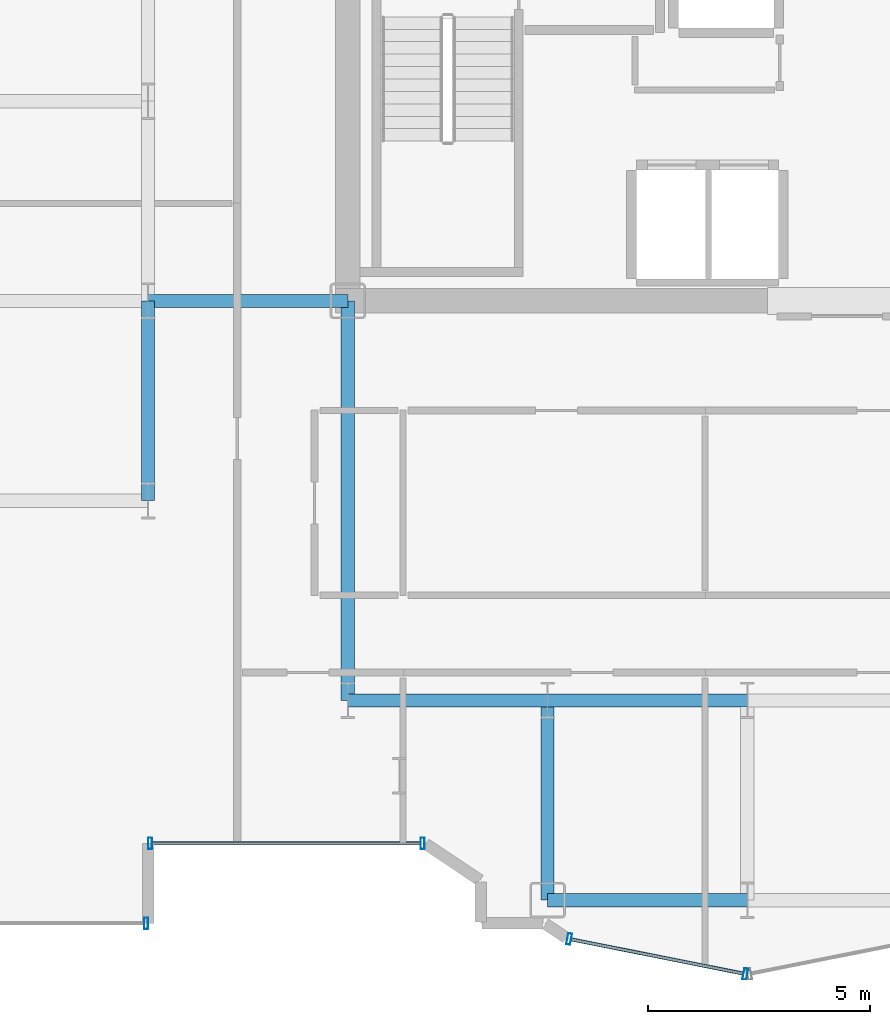
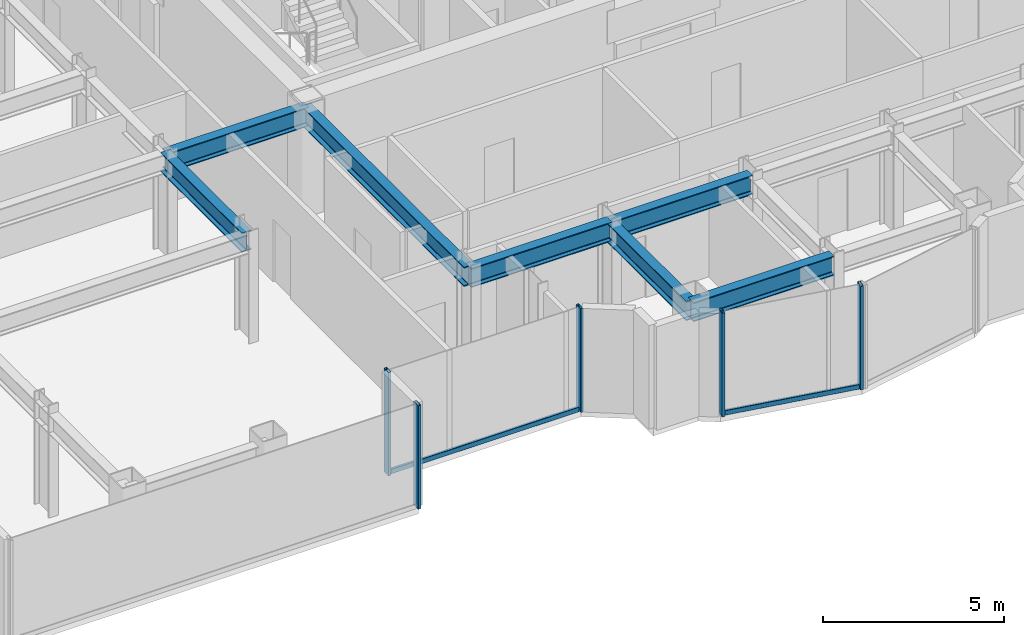
# One storey, part 5 of 23: 7 beams, 7 members, 3 elements without a shape of their own.
"""IFC4 building model written with IfcOpenShell, lengths in metres."""

import ifcopenshell
import ifcopenshell.guid

model = None  # the IFC model being written
_history = None  # IfcOwnerHistory: only IFC2X3 demands one
_inside = {}  # id of a spatial element -> (the spatial element, [elements in it])
_under = {}  # id of a project, library or spatial element -> (it, [spatial elements below it])
_declared = {}  # id of a project -> (the project, [libraries it declares])
_typed = {}  # id of a type object -> (the type object, [elements of that type])
_made_of = {}  # id of a material, layer set ... -> (it, [elements and type objects made of it])


def new_model(schema):
    """Start an empty IFC model of exactly this schema.

    Asked for "IFC4X3", IfcOpenShell would pick the latest addendum, in which some entities
    have other attributes; the version numbers below select the first issue.
    IFC2X3 requires an IfcOwnerHistory on every rooted entity: one is made here for all.
    """
    global model, _history
    if schema == "IFC4X3":
        model = ifcopenshell.file(schema_version=(4, 3, 0, 0))
    else:
        model = ifcopenshell.file(schema=schema)
    _inside.clear()
    _under.clear()
    _declared.clear()
    _typed.clear()
    _made_of.clear()
    _history = None
    if model.schema == "IFC2X3":
        org = make("IfcOrganization", Name="unknown")
        user = make(
            "IfcPersonAndOrganization",
            ThePerson=make("IfcPerson", FamilyName="unknown"),
            TheOrganization=org,
        )
        app = make(
            "IfcApplication",
            ApplicationDeveloper=org,
            Version="unknown",
            ApplicationFullName="unknown",
            ApplicationIdentifier="unknown",
        )
        _history = make(
            "IfcOwnerHistory",
            OwningUser=user,
            OwningApplication=app,
            ChangeAction="ADDED",
            CreationDate=0,
        )
    return model


def make(cls, **values):
    """One entity of the class cls with the attributes given. An attribute that is None is left unset."""
    return model.create_entity(
        cls, **{name: value for name, value in values.items() if value is not None}
    )


def rooted(cls, **values):
    """An entity with a GlobalId (a new one), such as an element, a storey or a relation."""
    return make(cls, GlobalId=ifcopenshell.guid.new(), OwnerHistory=_history, **values)


def si_unit(unit_type, name, prefix=None):
    """IfcSIUnit, for example si_unit("LENGTHUNIT", "METRE", prefix="MILLI")."""
    return make("IfcSIUnit", UnitType=unit_type, Prefix=prefix, Name=name)


def assignment(units):
    """IfcUnitAssignment: the units of a project."""
    return None if units is None else make("IfcUnitAssignment", Units=units)


def point(xyz):
    """IfcCartesianPoint."""
    return None if xyz is None else make("IfcCartesianPoint", Coordinates=xyz)


def direction(xyz):
    """IfcDirection."""
    return None if xyz is None else make("IfcDirection", DirectionRatios=xyz)


def frame(location, z_axis=None, x_axis=None):
    """IfcAxis2Placement3D, a coordinate frame: its origin and axes. An axis left out is left unset."""
    return make(
        "IfcAxis2Placement3D",
        Location=point(location),
        Axis=direction(z_axis),
        RefDirection=direction(x_axis),
    )


def frame_2d(location, x_axis=None):
    """IfcAxis2Placement2D, a coordinate frame in the plane: its origin and x axis."""
    return make(
        "IfcAxis2Placement2D", Location=point(location), RefDirection=direction(x_axis)
    )


def origin():
    """The frame at (0, 0, 0) with its axes left unset."""
    return frame((0.0, 0.0, 0.0))


def origin_2d():
    """The frame at (0, 0) in the plane with its x axis left unset."""
    return frame_2d((0.0, 0.0))


def place(relative_to, where):
    """IfcLocalPlacement: puts the frame where relative to a parent placement (None: the world)."""
    return make(
        "IfcLocalPlacement", PlacementRelTo=relative_to, RelativePlacement=where
    )


def context(
    kind, dimensions, precision=None, world=None, true_north=None, identifier=None
):
    """IfcGeometricRepresentationContext, for example the 3D "Model" context."""
    return make(
        "IfcGeometricRepresentationContext",
        ContextIdentifier=identifier,
        ContextType=kind,
        CoordinateSpaceDimension=dimensions,
        Precision=precision,
        WorldCoordinateSystem=world,
        TrueNorth=true_north,
    )


def subcontext(parent, identifier, kind, view, scale=None):
    """IfcGeometricRepresentationSubContext, for example "Body" below "Model"."""
    return make(
        "IfcGeometricRepresentationSubContext",
        ContextIdentifier=identifier,
        ContextType=kind,
        ParentContext=parent,
        TargetScale=scale,
        TargetView=view,
    )


def project(units=None, contexts=None):
    """IfcProject with its units and contexts."""
    return rooted(
        "IfcProject",
        Name="project",
        RepresentationContexts=contexts,
        UnitsInContext=assignment(units),
    )


def spatial(cls, under=None, at=None, **own):
    """A site, building, storey or space (cls), placed at a placement, below another one or the project."""
    s = rooted(cls, ObjectPlacement=at, **own)
    if under is not None:
        _under.setdefault(under.id(), (under, []))[1].append(s)
    return s


def profile(cls, at=None, kind="AREA", **sizes):
    """A parametric profile (cls). Its sizes go by their IFC names, for example OverallWidth=200.0."""
    return make(cls, ProfileType=kind, Position=at, **sizes)


def hollow_rectangle(**sizes):
    """IfcRectangleHollowProfileDef."""
    return profile("IfcRectangleHollowProfileDef", **sizes)


def i_section(**sizes):
    """IfcIShapeProfileDef."""
    return profile("IfcIShapeProfileDef", **sizes)


def extrude(swept, where, along, depth):
    """IfcExtrudedAreaSolid: the profile swept, set in the frame where, extruded along a direction by depth."""
    return make(
        "IfcExtrudedAreaSolid",
        SweptArea=swept,
        Position=where,
        ExtrudedDirection=direction(along),
        Depth=depth,
    )


def shape(context_of_items, identifier, shape_type, items):
    """IfcShapeRepresentation: the items that make up one representation, for example the "Body"."""
    return make(
        "IfcShapeRepresentation",
        ContextOfItems=context_of_items,
        RepresentationIdentifier=identifier,
        RepresentationType=shape_type,
        Items=items,
    )


def source(mapping_origin, context_of_items, identifier, shape_type, items):
    """IfcRepresentationMap: a shape defined once, which mapped items show again and again."""
    return make(
        "IfcRepresentationMap",
        MappingOrigin=mapping_origin,
        MappedRepresentation=shape(context_of_items, identifier, shape_type, items),
    )


def transform(
    local_origin,
    x_axis=None,
    y_axis=None,
    z_axis=None,
    scale=None,
    scale2=None,
    scale3=None,
    uniform=True,
):
    """IfcCartesianTransformationOperator3D, or its non-uniform kind. x_axis, y_axis, z_axis: its Axis1, 2, 3."""
    if uniform:
        return make(
            "IfcCartesianTransformationOperator3D",
            Axis1=direction(x_axis),
            Axis2=direction(y_axis),
            LocalOrigin=point(local_origin),
            Scale=scale,
            Axis3=direction(z_axis),
        )
    return make(
        "IfcCartesianTransformationOperator3DnonUniform",
        Axis1=direction(x_axis),
        Axis2=direction(y_axis),
        LocalOrigin=point(local_origin),
        Scale=scale,
        Axis3=direction(z_axis),
        Scale2=scale2,
        Scale3=scale3,
    )


def mapped(mapping_source, mapping_target):
    """IfcMappedItem: shows the shape of a source again, moved by a transform."""
    return make(
        "IfcMappedItem", MappingSource=mapping_source, MappingTarget=mapping_target
    )


def material(Name=None, Category=None):
    """IfcMaterial."""
    return make("IfcMaterial", Name=Name, Category=Category)


def layer(
    of_material, thickness, ventilated=None, Name=None, Category=None, Priority=None
):
    """IfcMaterialLayer: one layer of a wall or slab, of a material (None: an air gap)."""
    return make(
        "IfcMaterialLayer",
        Material=of_material,
        LayerThickness=thickness,
        IsVentilated=ventilated,
        Name=Name,
        Category=Category,
        Priority=Priority,
    )


def layer_set(layers, Name=None):
    """IfcMaterialLayerSet."""
    return make("IfcMaterialLayerSet", MaterialLayers=layers, LayerSetName=Name)


def material_profile(
    of_material, cross_section, Name=None, Category=None, Priority=None
):
    """IfcMaterialProfile: a cross section and its material."""
    return make(
        "IfcMaterialProfile",
        Name=Name,
        Material=of_material,
        Profile=cross_section,
        Priority=Priority,
        Category=Category,
    )


def profile_set(profiles, Name=None, composite=None):
    """IfcMaterialProfileSet."""
    return make(
        "IfcMaterialProfileSet",
        Name=Name,
        MaterialProfiles=profiles,
        CompositeProfile=composite,
    )


def made_of(thing, what):
    """Note that an element or type object is made of a material, layer set ...; save() writes the relation."""
    if what is not None:
        _made_of.setdefault(what.id(), (what, []))[1].append(thing)
    return thing


def type_object(cls, material=None, **own):
    """A type object (cls), such as IfcWallType, which elements share."""
    return made_of(rooted(cls, **own), material)


def element(
    cls,
    number,
    at=None,
    inside=None,
    cuts=None,
    type_object=None,
    material=None,
    context=None,
    identifier="Body",
    shape_type=None,
    held_by="IfcProductDefinitionShape",
    body=None,
    shapes=None,
    **own,
):
    """One element of the class cls, such as IfcWall. Its Tag is "e" and its number.

    at: its placement. inside: the storey or other place that contains it. cuts: it is an
    opening in that element (IfcRelVoidsElement). A single representation is given by context,
    identifier, shape_type and body (its items); several are given by shapes. held_by: the class
    of the entity that holds the representations. save() writes the other relations.
    """
    e = rooted(cls, Tag="e%d" % number, ObjectPlacement=at, **own)
    if body is not None:
        shapes = [shape(context, identifier, shape_type, body)]
    if shapes is not None:
        e.Representation = make(held_by, Representations=shapes)
    if inside is not None:
        _inside.setdefault(inside.id(), (inside, []))[1].append(e)
    if cuts is not None:
        rooted(
            "IfcRelVoidsElement", RelatingBuildingElement=cuts, RelatedOpeningElement=e
        )
    if type_object is not None:
        _typed.setdefault(type_object.id(), (type_object, []))[1].append(e)
    return made_of(e, material)


def aggregate(whole, parts):
    """IfcRelAggregates: a whole, such as a stair, and the parts it consists of."""
    return rooted("IfcRelAggregates", RelatingObject=whole, RelatedObjects=parts)


def save(model, path):
    """Write the relations noted so far, then the file.

    IfcRelAggregates (storeys below a building ...), IfcRelContainedInSpatialStructure (elements
    in a storey), IfcRelDefinesByType, IfcRelAssociatesMaterial and IfcRelDeclares: one each for
    every whole, place, type object, material and project.
    """
    for whole, parts in _under.values():
        aggregate(whole, parts)
    for where, things in _inside.values():
        rooted(
            "IfcRelContainedInSpatialStructure",
            RelatedElements=things,
            RelatingStructure=where,
        )
    for kind, things in _typed.values():
        rooted("IfcRelDefinesByType", RelatedObjects=things, RelatingType=kind)
    for what, things in _made_of.values():
        rooted("IfcRelAssociatesMaterial", RelatedObjects=things, RelatingMaterial=what)
    for by, libraries in _declared.values():
        rooted("IfcRelDeclares", RelatingContext=by, RelatedDefinitions=libraries)
    model.write(path)


model = new_model("IFC4")

# Units and contexts
model_context = context("Model", 3, precision=1e-05, world=origin(), true_north=direction((0.0, 1.0)))
body_context = subcontext(model_context, "Body", "Model", "MODEL_VIEW")
ifc_project = project(units=[si_unit("LENGTHUNIT", "METRE"), si_unit("AREAUNIT", "SQUARE_METRE"), si_unit("VOLUMEUNIT", "CUBIC_METRE"), si_unit("PLANEANGLEUNIT", "RADIAN"), si_unit("MASSUNIT", "GRAM", prefix="KILO")], contexts=[model_context])

# Site, building, storey
site_placement = place(None, origin())
site = spatial("IfcSite", under=ifc_project, at=site_placement, CompositionType="ELEMENT")
building_placement = place(site_placement, origin())
building = spatial("IfcBuilding", under=site, at=building_placement, Name="Nefas-Gora Pilgrimage Tower", CompositionType="ELEMENT")
storey_placement = place(building_placement, frame((0.0, 0.0, 198.199951171875)))
storey = spatial("IfcBuildingStorey", under=building, at=storey_placement, Name="L49", CompositionType="ELEMENT", Elevation=198.199951171875)

# Beams
ifc_material_1 = material(Name="Steel S355", Category="steel")
ifc_material_profile_1 = material_profile(ifc_material_1, i_section(OverallWidth=0.300048828125, OverallDepth=0.64990234375, WebThickness=0.01611328125, FlangeThickness=0.031005859375, FilletRadius=0.027099609375, at=origin_2d()), Name="HEB 650")
ifc_profile_set_1 = profile_set([ifc_material_profile_1], Name="Steel S355")
beam_type = type_object("IfcBeamType", Name="BM-GIR-HEB650", PredefinedType="BEAM", material=ifc_profile_set_1)
shared_shape_1 = source(origin(), body_context, "Body", "SweptSolid", [
    extrude(i_section(OverallWidth=0.300048828125, OverallDepth=0.64990234375, WebThickness=0.01611328125, FlangeThickness=0.031005859375, FilletRadius=0.027099609375, at=origin_2d()), origin(), (0.0, 0.0, 1.0), 9.0),
])
beam_placement = place(storey_placement, frame((-11.25, -18.0, 3.175048828125), z_axis=(0.0, 1.0, 0.0), x_axis=(-1.0, 0.0, 0.0)))
element("IfcBeam", 1, at=beam_placement, inside=storey, type_object=beam_type, Name="L49 G-03 beam", PredefinedType="BEAM", context=body_context, shape_type="MappedRepresentation", body=[
    mapped(shared_shape_1, transform((0.0, 0.0, 0.0), x_axis=(1.0, 0.0, 0.0), y_axis=(0.0, 1.0, 0.0), z_axis=(0.0, 0.0, 1.0), scale=1.0)),
])
shared_shape_2 = source(origin(), body_context, "Body", "SweptSolid", [
    extrude(i_section(OverallWidth=0.300048828125, OverallDepth=0.64990234375, WebThickness=0.01611328125, FlangeThickness=0.031005859375, FilletRadius=0.027099609375, at=origin_2d()), origin(), (0.0, 0.0, 1.0), 4.5),
])
for number, where, z_axis, x_axis, name in (
    (2, (-15.75, -13.5, 3.175048828125), (0.0, 1.0, 0.0), (-1.0, 0.0, 0.0), "L49 G-03 beam"),
    (3, (-15.75, -9.0, 3.175048828125), (1.0, 0.0, 0.0), (0.0, 1.0, 0.0), "L49 G-03 beam"),
    (4, (-11.25, -18.0, 3.175048828125), (1.0, 0.0, 0.0), (0.0, 1.0, 0.0), "L49 G-03 beam"),
    (5, (-6.75, -22.5, 3.175048828125), (0.0, 1.0, 0.0), (-1.0, 0.0, 0.0), "L49 G-03 beam"),
    (6, (-6.75, -22.5, 3.175048828125), (1.0, 0.0, 0.0), (0.0, 1.0, 0.0), "L49 G-03 beam"),
    (7, (-6.75, -18.0, 3.175048828125), (1.0, 0.0, 0.0), (0.0, 1.0, 0.0), "L49 G-03 beam"),
):
    element("IfcBeam", number, at=place(storey_placement, frame(where, z_axis=z_axis, x_axis=x_axis)), inside=storey, type_object=beam_type, Name=name, PredefinedType="BEAM", context=body_context, shape_type="MappedRepresentation", body=[
        mapped(shared_shape_2, transform((0.0, 0.0, 0.0), x_axis=(1.0, 0.0, 0.0), y_axis=(0.0, 1.0, 0.0), z_axis=(0.0, 0.0, 1.0), scale=1.0)),
    ])

# Curtain wall, member
ifc_material_2 = material(Name="Dark ceramic-fritted solar-control aluminium-glass curtain wall", Category="aluminium")
ifc_layer_1 = layer(ifc_material_2, 0.219970703125)
ifc_layer_set_1 = layer_set([ifc_layer_1], Name="Dark ceramic-fritted solar-control aluminium-glass curtain wall")
curtain_wall_type_1 = type_object("IfcCurtainWallType", Name="CW-SYS-5", PredefinedType="NOTDEFINED", material=ifc_layer_set_1)
curtain_wall_1_placement = place(storey_placement, origin())
curtain_wall_1 = element("IfcCurtainWall", 8, at=curtain_wall_1_placement, inside=storey, type_object=curtain_wall_type_1, Name="L49 Unitised Curtain Wall CW5", PredefinedType="NOTDEFINED")
ifc_material_3 = material(Name="Anodised architectural aluminium", Category="aluminium")
ifc_material_profile_2 = material_profile(ifc_material_3, hollow_rectangle(XDim=0.080078125, YDim=0.159912109375, WallThickness=0.00439453125, InnerFilletRadius=0.00439453125, OuterFilletRadius=0.009033203125, at=origin_2d()), Name="ALU TRANSOM 80x160")
ifc_profile_set_2 = profile_set([ifc_material_profile_2], Name="Anodised architectural aluminium")
member_type_1 = type_object("IfcMemberType", Name="CWM-TRN-5", PredefinedType="USERDEFINED", material=ifc_profile_set_2)
shared_shape_3 = source(origin(), body_context, "Body", "SweptSolid", [
    extrude(hollow_rectangle(XDim=0.080078125, YDim=0.159912109375, WallThickness=0.00439453125, InnerFilletRadius=0.00439453125, OuterFilletRadius=0.009033203125, at=origin_2d()), origin(), (0.0, 0.0, 1.0), 6.052001953125),
])
member_1_placement = place(storey_placement, frame((-15.659912109375, -21.219970703125, 0.050048828125), z_axis=(1.0, 0.0, 0.0), x_axis=(0.0, 1.0, 0.0)))
member_1 = element("IfcMember", 9, at=member_1_placement, type_object=member_type_1, Name="CW5 Spandrel Transom", ObjectType="TRANSOM", PredefinedType="USERDEFINED", context=body_context, shape_type="MappedRepresentation", body=[
    mapped(shared_shape_3, transform((0.0, 0.0, 0.0), x_axis=(1.0, 0.0, 0.0), y_axis=(0.0, 1.0, 0.0), z_axis=(0.0, 0.0, 1.0), scale=1.0)),
])

curtain_wall_2_placement = place(storey_placement, origin())
curtain_wall_2 = element("IfcCurtainWall", 10, at=curtain_wall_2_placement, inside=storey, type_object=curtain_wall_type_1, Name="L49 Unitised Curtain Wall CW5", PredefinedType="NOTDEFINED")
shared_shape_4 = source(origin(), body_context, "Body", "SweptSolid", [
    extrude(hollow_rectangle(XDim=0.080078125, YDim=0.159912109375, WallThickness=0.00439453125, InnerFilletRadius=0.00439453125, OuterFilletRadius=0.009033203125, at=origin_2d()), origin(), (0.0, 0.0, 1.0), 3.95654296875),
])
member_2_placement = place(storey_placement, frame((-6.218994140625, -23.3828125, 0.050048828125), z_axis=(0.980781880918, -0.195107411605, 0.0), x_axis=(0.195107411605, 0.980781880918, 0.0)))
member_2 = element("IfcMember", 11, at=member_2_placement, type_object=member_type_1, Name="CW5 Spandrel Transom", ObjectType="TRANSOM", PredefinedType="USERDEFINED", context=body_context, shape_type="MappedRepresentation", body=[
    mapped(shared_shape_4, transform((0.0, 0.0, 0.0), x_axis=(1.0, 0.0, 0.0), y_axis=(0.0, 1.0, 0.0), z_axis=(0.0, 0.0, 1.0), scale=1.0)),
])

# Member
ifc_material_profile_3 = material_profile(ifc_material_3, hollow_rectangle(XDim=0.090087890625, YDim=0.260009765625, WallThickness=0.006103515625, InnerFilletRadius=0.006103515625, OuterFilletRadius=0.011962890625, at=origin_2d()), Name="ALU MULLION 90x260")
ifc_profile_set_3 = profile_set([ifc_material_profile_3], Name="Anodised architectural aluminium")
member_type_2 = type_object("IfcMemberType", Name="CWM-MUL-5", PredefinedType="MULLION", material=ifc_profile_set_3)
shared_shape_5 = source(origin(), body_context, "Body", "SweptSolid", [
    extrude(hollow_rectangle(XDim=0.090087890625, YDim=0.260009765625, WallThickness=0.006103515625, InnerFilletRadius=0.006103515625, OuterFilletRadius=0.011962890625, at=origin_2d()), origin(), (0.0, 0.0, 1.0), 3.5),
])
member_3_placement = place(storey_placement, frame((-15.705078125, -21.219970703125, 0.0), z_axis=(0.0, 0.0, 1.0), x_axis=(1.0, 0.0, 0.0)))
member_3 = element("IfcMember", 12, at=member_3_placement, type_object=member_type_2, Name="CW5 Mullion 1", PredefinedType="MULLION", context=body_context, shape_type="MappedRepresentation", body=[
    mapped(shared_shape_5, transform((0.0, 0.0, 0.0), x_axis=(1.0, 0.0, 0.0), y_axis=(0.0, 1.0, 0.0), z_axis=(0.0, 0.0, 1.0), scale=1.0)),
])

member_4_placement = place(storey_placement, frame((-9.56298828125, -21.219970703125, 0.0), z_axis=(0.0, 0.0, 1.0), x_axis=(1.0, 0.0, 0.0)))
member_4 = element("IfcMember", 13, at=member_4_placement, type_object=member_type_2, Name="CW5 Mullion 2", PredefinedType="MULLION", context=body_context, shape_type="MappedRepresentation", body=[
    mapped(shared_shape_5, transform((0.0, 0.0, 0.0), x_axis=(1.0, 0.0, 0.0), y_axis=(0.0, 1.0, 0.0), z_axis=(0.0, 0.0, 1.0), scale=1.0)),
])

aggregate(curtain_wall_1, [member_3, member_4, member_1])

member_5_placement = place(storey_placement, frame((-6.26318359375, -23.3740234375, 0.0), z_axis=(0.0, 0.0, 1.0), x_axis=(0.980782896852, -0.195102304554, 0.0)))
member_5 = element("IfcMember", 14, at=member_5_placement, type_object=member_type_2, Name="CW5 Mullion 1", PredefinedType="MULLION", context=body_context, shape_type="MappedRepresentation", body=[
    mapped(shared_shape_5, transform((0.0, 0.0, 0.0), x_axis=(1.0, 0.0, 0.0), y_axis=(0.0, 1.0, 0.0), z_axis=(0.0, 0.0, 1.0), scale=1.0)),
])

member_6_placement = place(storey_placement, frame((-2.294189453125, -24.16357421875, 0.0), z_axis=(0.0, 0.0, 1.0), x_axis=(0.980782896852, -0.195102304554, 0.0)))
member_6 = element("IfcMember", 15, at=member_6_placement, type_object=member_type_2, Name="CW5 Mullion 2", PredefinedType="MULLION", context=body_context, shape_type="MappedRepresentation", body=[
    mapped(shared_shape_5, transform((0.0, 0.0, 0.0), x_axis=(1.0, 0.0, 0.0), y_axis=(0.0, 1.0, 0.0), z_axis=(0.0, 0.0, 1.0), scale=1.0)),
])

aggregate(curtain_wall_2, [member_5, member_6, member_2])

# Curtain wall, member
ifc_layer_2 = layer(ifc_material_2, 0.219970703125)
ifc_layer_set_2 = layer_set([ifc_layer_2], Name="Dark ceramic-fritted solar-control aluminium-glass curtain wall")
curtain_wall_type_2 = type_object("IfcCurtainWallType", Name="CW-SYS-3", PredefinedType="NOTDEFINED", material=ifc_layer_set_2)
curtain_wall_3_placement = place(storey_placement, origin())
curtain_wall_3 = element("IfcCurtainWall", 16, at=curtain_wall_3_placement, inside=storey, type_object=curtain_wall_type_2, Name="L49 Unitised Curtain Wall CW3", PredefinedType="NOTDEFINED")
ifc_material_profile_4 = material_profile(ifc_material_3, hollow_rectangle(XDim=0.090087890625, YDim=0.260009765625, WallThickness=0.006103515625, InnerFilletRadius=0.006103515625, OuterFilletRadius=0.011962890625, at=origin_2d()), Name="ALU MULLION 90x260")
ifc_profile_set_4 = profile_set([ifc_material_profile_4], Name="Anodised architectural aluminium")
member_type_3 = type_object("IfcMemberType", Name="CWM-MUL-3", PredefinedType="MULLION", material=ifc_profile_set_4)
shared_shape_6 = source(origin(), body_context, "Body", "SweptSolid", [
    extrude(hollow_rectangle(XDim=0.090087890625, YDim=0.260009765625, WallThickness=0.006103515625, InnerFilletRadius=0.006103515625, OuterFilletRadius=0.011962890625, at=origin_2d()), origin(), (0.0, 0.0, 1.0), 3.5),
])
member_7_placement = place(storey_placement, frame((-15.794921875, -23.02001953125, 0.0), z_axis=(0.0, 0.0, 1.0), x_axis=(1.0, 0.0, 0.0)))
member_7 = element("IfcMember", 17, at=member_7_placement, type_object=member_type_3, Name="CW3 Mullion 2", PredefinedType="MULLION", context=body_context, shape_type="MappedRepresentation", body=[
    mapped(shared_shape_6, transform((0.0, 0.0, 0.0), x_axis=(1.0, 0.0, 0.0), y_axis=(0.0, 1.0, 0.0), z_axis=(0.0, 0.0, 1.0), scale=1.0)),
])
aggregate(curtain_wall_3, [member_7])

save(model, "model.ifc")
